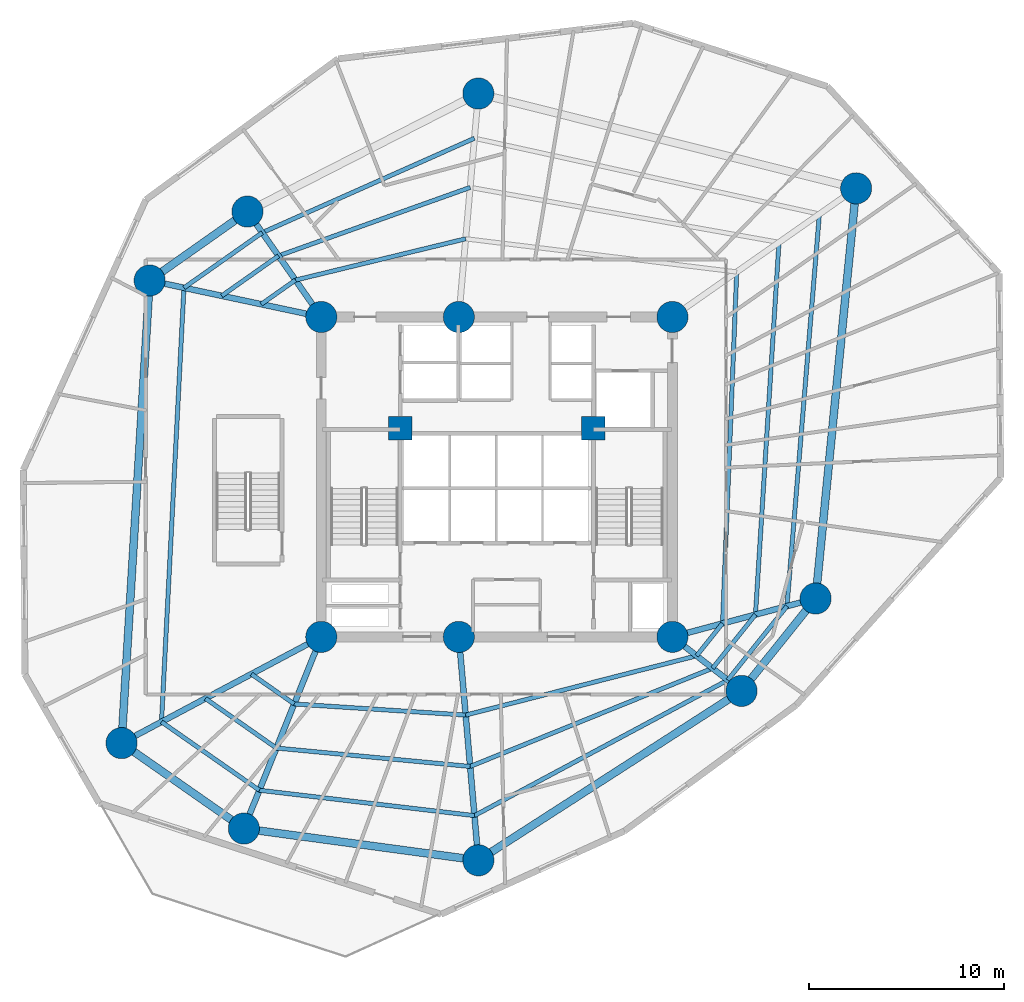
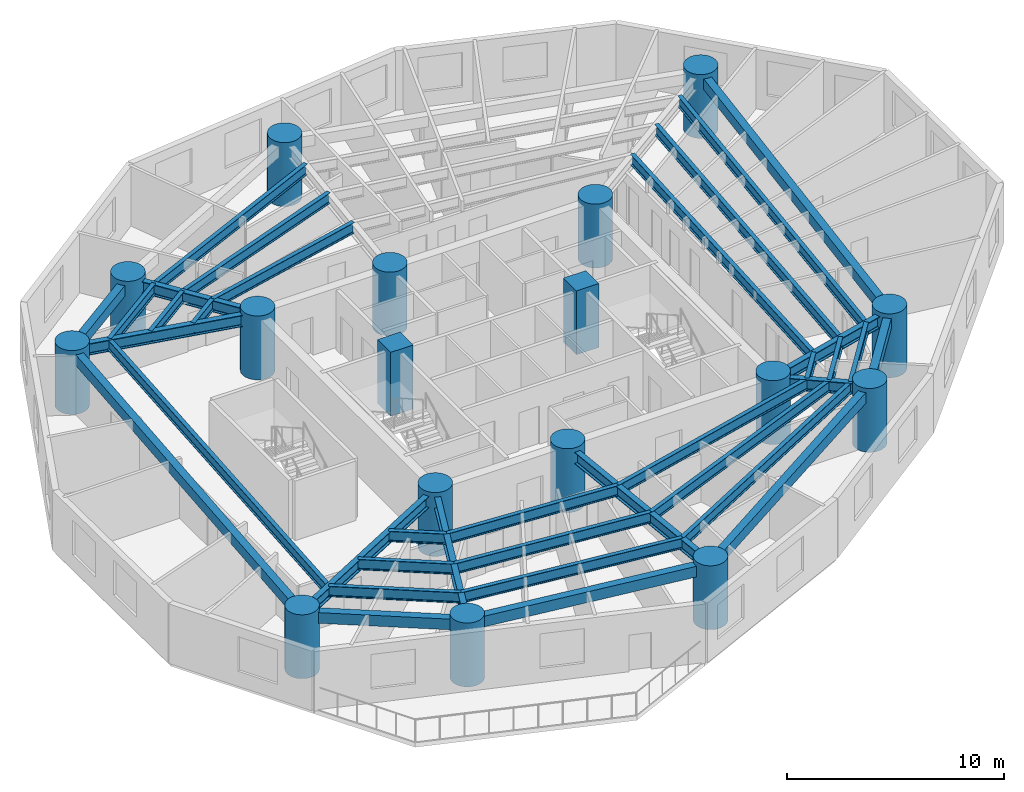
# One storey, part 1 of 9: 36 beams, 17 columns.
"""IFC4 building model written with IfcOpenShell, lengths in metres."""

from ifc_helpers import new_model, si_unit, direction, frame, origin, origin_with_axes, origin_2d, place, context, subcontext, project, spatial, rectangle, circle, i_section, extrude, source, transform, mapped, material, material_profile, profile_set, type_object, element, save


model = new_model("IFC4")

# Units and contexts
model_context = context("Model", 3, precision=1e-05, world=origin(), true_north=direction((0.0, 1.0)))
body_context = subcontext(model_context, "Body", "Model", "MODEL_VIEW")
ifc_project = project(units=[si_unit("LENGTHUNIT", "METRE"), si_unit("AREAUNIT", "SQUARE_METRE"), si_unit("VOLUMEUNIT", "CUBIC_METRE"), si_unit("PLANEANGLEUNIT", "RADIAN"), si_unit("MASSUNIT", "GRAM", prefix="KILO")], contexts=[model_context])

# Site, building, storey
site_placement = place(None, origin())
site = spatial("IfcSite", under=ifc_project, at=site_placement, CompositionType="ELEMENT")
building_placement = place(site_placement, origin())
building = spatial("IfcBuilding", under=site, at=building_placement, Name="Karkom Vertical University and Central Library", CompositionType="ELEMENT")
storey_placement = place(building_placement, frame((0.0, 0.0, 48.10009765625)))
storey = spatial("IfcBuildingStorey", under=building, at=storey_placement, Name="L12", CompositionType="ELEMENT", Elevation=48.10009765625)

# Columns
ifc_material_1 = material(Name="Concrete C50/60", Category="concrete")
ifc_material_profile_1 = material_profile(ifc_material_1, circle(Radius=0.800048828125, at=origin_2d()), Name="CFT-D1600")
ifc_profile_set_1 = profile_set([ifc_material_profile_1], Name="Concrete C50/60")
column_type_1 = type_object("IfcColumnType", Name="STR-COL-C-SC2", PredefinedType="COLUMN", material=ifc_profile_set_1)
shared_shape_1 = source(origin_with_axes(), body_context, "Body", "SweptSolid", [
    extrude(circle(Radius=0.800048828125, at=origin_2d()), origin(), (0.0, 0.0, 1.0), 3.599853515625),
])
for number, where, z_axis, x_axis, name in (
    (1, (19.5, 18.300048828125, 0.0), (0.0, 0.0, 1.0), (1.0, 0.0, 0.0), "Level 12 Spine Mega-Column SC-1"),
    (2, (26.550048828125, 18.300048828125, 0.0), (0.0, 0.0, 1.0), (1.0, 0.0, 0.0), "Level 12 Spine Mega-Column SC-2"),
    (3, (37.5, 18.300048828125, 0.0), (0.0, 0.0, 1.0), (1.0, 0.0, 0.0), "Level 12 Spine Mega-Column SC-3"),
    (4, (19.5, 34.699951171875, 0.0), (0.0, 0.0, 1.0), (1.0, 0.0, 0.0), "Level 12 Spine Mega-Column SC-4"),
    (5, (26.550048828125, 34.699951171875, 0.0), (0.0, 0.0, 1.0), (1.0, 0.0, 0.0), "Level 12 Spine Mega-Column SC-5"),
    (6, (37.5, 34.699951171875, 0.0), (0.0, 0.0, 1.0), (1.0, 0.0, 0.0), "Level 12 Spine Mega-Column SC-6"),
    (7, (44.841064453125, 20.26708984375, 0.0), (0.0, 0.0, 1.0), (1.0, 0.0, 0.0), "Level 12 Perimeter Mega-Column Z1-PC1"),
    (8, (46.919921875, 41.2958984375, 0.0), (0.0, 0.0, 1.0), (1.0, 0.0, 0.0), "Level 12 Perimeter Mega-Column Z1-PC2"),
    (9, (27.552001953125, 46.156005859375, 0.0), (0.0, 0.0, 1.0), (1.0, 0.0, 0.0), "Level 12 Perimeter Mega-Column Z1-PC3"),
    (10, (15.714111328125, 40.10595703125, 0.0), (0.0, 0.0, 1.0), (1.0, 0.0, 0.0), "Level 12 Perimeter Mega-Column Z1-PC4"),
    (11, (10.697021484375, 36.571044921875, 0.0), (0.0, 0.0, 1.0), (1.0, 0.0, 0.0), "Level 12 Perimeter Mega-Column Z1-PC5"),
    (12, (9.258056640625, 12.85400390625, 0.0), (0.0, 0.0, 1.0), (1.0, 0.0, 0.0), "Level 12 Perimeter Mega-Column Z1-PC6"),
    (13, (15.529052734375, 8.471923828125, 0.0), (0.0, 0.0, 1.0), (1.0, 0.0, 0.0), "Level 12 Perimeter Mega-Column Z1-PC7"),
    (14, (27.552001953125, 6.843994140625, 0.0), (0.0, 0.0, 1.0), (1.0, 0.0, 0.0), "Level 12 Perimeter Mega-Column Z1-PC8"),
    (15, (41.0458984375, 15.530029296875, 0.0), (0.0, 0.0, 1.0), (1.0, 0.0, 0.0), "Level 12 Perimeter Mega-Column Z1-PC9"),
):
    element("IfcColumn", number, at=place(storey_placement, frame(where, z_axis=z_axis, x_axis=x_axis)), inside=storey, type_object=column_type_1, Name=name, PredefinedType="COLUMN", context=body_context, shape_type="MappedRepresentation", body=[
        mapped(shared_shape_1, transform((0.0, 0.0, 0.0), scale=1.0)),
    ])
ifc_material_profile_2 = material_profile(ifc_material_1, rectangle(XDim=1.199951171875, YDim=1.199951171875, at=origin_2d()), Name="RC-1200x1200")
ifc_profile_set_2 = profile_set([ifc_material_profile_2], Name="Concrete C50/60")
column_type_2 = type_object("IfcColumnType", Name="STR-COL-C-CC1", PredefinedType="COLUMN", material=ifc_profile_set_2)
shared_shape_2 = source(origin_with_axes(), body_context, "Body", "SweptSolid", [
    extrude(rectangle(XDim=1.199951171875, YDim=1.199951171875, at=origin_2d()), origin(), (0.0, 0.0, 1.0), 3.599853515625),
])
for number, where, z_axis, x_axis, name in (
    (16, (23.550048828125, 29.0, 0.0), (0.0, 0.0, 1.0), (1.0, 0.0, 0.0), "Level 12 Core Node Column CC-1"),
    (17, (33.449951171875, 29.0, 0.0), (0.0, 0.0, 1.0), (1.0, 0.0, 0.0), "Level 12 Core Node Column CC-2"),
):
    element("IfcColumn", number, at=place(storey_placement, frame(where, z_axis=z_axis, x_axis=x_axis)), inside=storey, type_object=column_type_2, Name=name, PredefinedType="COLUMN", context=body_context, shape_type="MappedRepresentation", body=[
        mapped(shared_shape_2, transform((0.0, 0.0, 0.0), scale=1.0)),
    ])

# Beams
ifc_material_2 = material(Name="Steel S355", Category="steel")
ifc_material_profile_3 = material_profile(ifc_material_2, i_section(OverallWidth=0.300048828125, OverallDepth=0.64990234375, WebThickness=0.01611328125, FlangeThickness=0.031005859375, FilletRadius=0.027099609375, at=origin_2d()), Name="HE 650 B")
ifc_profile_set_3 = profile_set([ifc_material_profile_3], Name="Steel S355")
beam_type_1 = type_object("IfcBeamType", Name="STR-BM-SB-HE650", PredefinedType="USERDEFINED", material=ifc_profile_set_3)
shared_shape_3 = source(origin_with_axes(), body_context, "Body", "SweptSolid", [
    extrude(i_section(OverallWidth=0.300048828125, OverallDepth=0.64990234375, WebThickness=0.01611328125, FlangeThickness=0.031005859375, FilletRadius=0.027099609375, at=origin_2d()), origin(), (0.0, 0.0, 1.0), 7.60009765625),
])
beam_1_placement = place(storey_placement, frame((37.5, 18.300048828125, 3.02490234375), z_axis=(0.965925539322, 0.258820116077, 0.0), x_axis=(-0.258820116077, 0.965925539322, 0.0)))
element("IfcBeam", 18, at=beam_1_placement, inside=storey, type_object=beam_type_1, Name="Level 12 Radial Frame Girder 01", ObjectType="GIRDER", PredefinedType="USERDEFINED", context=body_context, shape_type="MappedRepresentation", body=[
    mapped(shared_shape_3, transform((0.0, 0.0, 0.0), scale=1.0)),
])
shared_shape_4 = source(origin_with_axes(), body_context, "Body", "SweptSolid", [
    extrude(i_section(OverallWidth=0.300048828125, OverallDepth=0.64990234375, WebThickness=0.01611328125, FlangeThickness=0.031005859375, FilletRadius=0.027099609375, at=origin_2d()), origin(), (0.0, 0.0, 1.0), 11.499755859375),
])
beam_2_placement = place(storey_placement, frame((26.550048828125, 18.300048828125, 3.02490234375), z_axis=(0.087127973109, -0.99619712723, 0.0), x_axis=(0.99619712723, 0.087127973109, 0.0)))
element("IfcBeam", 19, at=beam_2_placement, inside=storey, type_object=beam_type_1, Name="Level 12 Radial Frame Girder 08", ObjectType="GIRDER", PredefinedType="USERDEFINED", context=body_context, shape_type="MappedRepresentation", body=[
    mapped(shared_shape_4, transform((0.0, 0.0, 0.0), scale=1.0)),
])
shared_shape_5 = source(origin_with_axes(), body_context, "Body", "SweptSolid", [
    extrude(i_section(OverallWidth=0.300048828125, OverallDepth=0.64990234375, WebThickness=0.01611328125, FlangeThickness=0.031005859375, FilletRadius=0.027099609375, at=origin_2d()), origin(), (0.0, 0.0, 1.0), 6.599853515625),
])
beam_3_placement = place(storey_placement, frame((19.5, 34.699951171875, 3.02490234375), z_axis=(-0.573633636671, 0.819111989218, 0.0), x_axis=(-0.819111989218, -0.573633636671, 0.0)))
element("IfcBeam", 20, at=beam_3_placement, inside=storey, type_object=beam_type_1, Name="Level 12 Radial Frame Girder 04", ObjectType="GIRDER", PredefinedType="USERDEFINED", context=body_context, shape_type="MappedRepresentation", body=[
    mapped(shared_shape_5, transform((0.0, 0.0, 0.0), scale=1.0)),
])
shared_shape_6 = source(origin_with_axes(), body_context, "Body", "SweptSolid", [
    extrude(i_section(OverallWidth=0.300048828125, OverallDepth=0.64990234375, WebThickness=0.01611328125, FlangeThickness=0.031005859375, FilletRadius=0.027099609375, at=origin_2d()), origin(), (0.0, 0.0, 1.0), 8.999755859375),
])
beam_4_placement = place(storey_placement, frame((19.5, 34.699951171875, 3.02490234375), z_axis=(-0.978148438993, 0.207907747079, 0.0), x_axis=(-0.207907747079, -0.978148438993, 0.0)))
element("IfcBeam", 21, at=beam_4_placement, inside=storey, type_object=beam_type_1, Name="Level 12 Radial Frame Girder 05", ObjectType="GIRDER", PredefinedType="USERDEFINED", context=body_context, shape_type="MappedRepresentation", body=[
    mapped(shared_shape_6, transform((0.0, 0.0, 0.0), scale=1.0)),
])
shared_shape_7 = source(origin_with_axes(), body_context, "Body", "SweptSolid", [
    extrude(i_section(OverallWidth=0.300048828125, OverallDepth=0.64990234375, WebThickness=0.01611328125, FlangeThickness=0.031005859375, FilletRadius=0.027099609375, at=origin_2d()), origin(), (0.0, 0.0, 1.0), 11.599853515625),
])
beam_5_placement = place(storey_placement, frame((19.5, 18.300048828125, 3.02490234375), z_axis=(-0.882936620635, -0.469492197957, 0.0), x_axis=(0.469492197957, -0.882936620635, 0.0)))
element("IfcBeam", 22, at=beam_5_placement, inside=storey, type_object=beam_type_1, Name="Level 12 Radial Frame Girder 06", ObjectType="GIRDER", PredefinedType="USERDEFINED", context=body_context, shape_type="MappedRepresentation", body=[
    mapped(shared_shape_7, transform((0.0, 0.0, 0.0), scale=1.0)),
])
shared_shape_8 = source(origin_with_axes(), body_context, "Body", "SweptSolid", [
    extrude(i_section(OverallWidth=0.300048828125, OverallDepth=0.64990234375, WebThickness=0.01611328125, FlangeThickness=0.031005859375, FilletRadius=0.027099609375, at=origin_2d()), origin(), (0.0, 0.0, 1.0), 10.60009765625),
])
beam_6_placement = place(storey_placement, frame((19.5, 18.300048828125, 3.02490234375), z_axis=(-0.374616894394, -0.927179692635, 0.0), x_axis=(0.927179692635, -0.374616894394, 0.0)))
element("IfcBeam", 23, at=beam_6_placement, inside=storey, type_object=beam_type_1, Name="Level 12 Radial Frame Girder 07", ObjectType="GIRDER", PredefinedType="USERDEFINED", context=body_context, shape_type="MappedRepresentation", body=[
    mapped(shared_shape_8, transform((0.0, 0.0, 0.0), scale=1.0)),
])
shared_shape_9 = source(origin_with_axes(), body_context, "Body", "SweptSolid", [
    extrude(i_section(OverallWidth=0.300048828125, OverallDepth=0.64990234375, WebThickness=0.01611328125, FlangeThickness=0.031005859375, FilletRadius=0.027099609375, at=origin_2d()), origin(), (0.0, 0.0, 1.0), 4.49951171875),
])
beam_7_placement = place(storey_placement, frame((37.5, 18.300048828125, 3.02490234375), z_axis=(0.788047405801, -0.615614559778, 0.0), x_axis=(0.615614559778, 0.788047405801, 0.0)))
element("IfcBeam", 24, at=beam_7_placement, inside=storey, type_object=beam_type_1, Name="Level 12 Radial Frame Girder 09", ObjectType="GIRDER", PredefinedType="USERDEFINED", context=body_context, shape_type="MappedRepresentation", body=[
    mapped(shared_shape_9, transform((0.0, 0.0, 0.0), scale=1.0)),
])
ifc_material_3 = material(Name="Precast concrete C45/55", Category="concrete")
ifc_material_profile_4 = material_profile(ifc_material_3, rectangle(XDim=0.39990234375, YDim=0.60009765625, at=origin_2d()), Name="SPB-400x600")
ifc_profile_set_4 = profile_set([ifc_material_profile_4], Name="Precast concrete C45/55")
beam_type_2 = type_object("IfcBeamType", Name="STR-BM-SP-1", PredefinedType="SPANDREL", material=ifc_profile_set_4)
shared_shape_10 = source(origin_with_axes(), body_context, "Body", "SweptSolid", [
    extrude(rectangle(XDim=0.39990234375, YDim=0.60009765625, at=origin_2d()), origin(), (0.0, 0.0, 1.0), 21.13134765625),
])
beam_8_placement = place(storey_placement, frame((44.841064453125, 20.26708984375, 3.0498046875), z_axis=(0.0983780471, 0.995149114379, 0.0), x_axis=(-0.995149114379, 0.0983780471, 0.0)))
element("IfcBeam", 25, at=beam_8_placement, inside=storey, type_object=beam_type_2, Name="Level 12 Perimeter Spandrel Beam 01", PredefinedType="SPANDREL", context=body_context, shape_type="MappedRepresentation", body=[
    mapped(shared_shape_10, transform((0.0, 0.0, 0.0), scale=1.0)),
])
shared_shape_11 = source(origin_with_axes(), body_context, "Body", "SweptSolid", [
    extrude(rectangle(XDim=0.39990234375, YDim=0.60009765625, at=origin_2d()), origin(), (0.0, 0.0, 1.0), 6.13720703125),
])
beam_9_placement = place(storey_placement, frame((15.714111328125, 40.10595703125, 3.0498046875), z_axis=(-0.817471365538, -0.575969240955, 0.0), x_axis=(0.575969240955, -0.817471365538, 0.0)))
element("IfcBeam", 26, at=beam_9_placement, inside=storey, type_object=beam_type_2, Name="Level 12 Perimeter Spandrel Beam 04", PredefinedType="SPANDREL", context=body_context, shape_type="MappedRepresentation", body=[
    mapped(shared_shape_11, transform((0.0, 0.0, 0.0), scale=1.0)),
])
shared_shape_12 = source(origin_with_axes(), body_context, "Body", "SweptSolid", [
    extrude(rectangle(XDim=0.39990234375, YDim=0.60009765625, at=origin_2d()), origin(), (0.0, 0.0, 1.0), 23.7607421875),
])
beam_10_placement = place(storey_placement, frame((10.697021484375, 36.571044921875, 3.0498046875), z_axis=(-0.060560827767, -0.998164508556, 0.0), x_axis=(0.998164508556, -0.060560827767, 0.0)))
element("IfcBeam", 27, at=beam_10_placement, inside=storey, type_object=beam_type_2, Name="Level 12 Perimeter Spandrel Beam 05", PredefinedType="SPANDREL", context=body_context, shape_type="MappedRepresentation", body=[
    mapped(shared_shape_12, transform((0.0, 0.0, 0.0), scale=1.0)),
])
shared_shape_13 = source(origin_with_axes(), body_context, "Body", "SweptSolid", [
    extrude(rectangle(XDim=0.39990234375, YDim=0.60009765625, at=origin_2d()), origin(), (0.0, 0.0, 1.0), 7.650390625),
])
beam_11_placement = place(storey_placement, frame((9.258056640625, 12.85400390625, 3.0498046875), z_axis=(0.819699409527, -0.572793922822, 0.0), x_axis=(0.572793922822, 0.819699409527, 0.0)))
element("IfcBeam", 28, at=beam_11_placement, inside=storey, type_object=beam_type_2, Name="Level 12 Perimeter Spandrel Beam 06", PredefinedType="SPANDREL", context=body_context, shape_type="MappedRepresentation", body=[
    mapped(shared_shape_13, transform((0.0, 0.0, 0.0), scale=1.0)),
])
shared_shape_14 = source(origin_with_axes(), body_context, "Body", "SweptSolid", [
    extrude(rectangle(XDim=0.39990234375, YDim=0.60009765625, at=origin_2d()), origin(), (0.0, 0.0, 1.0), 12.132568359375),
])
beam_12_placement = place(storey_placement, frame((15.529052734375, 8.471923828125, 3.0498046875), z_axis=(0.990957319008, -0.134177464223, 0.0), x_axis=(0.134177464223, 0.990957319008, 0.0)))
element("IfcBeam", 29, at=beam_12_placement, inside=storey, type_object=beam_type_2, Name="Level 12 Perimeter Spandrel Beam 07", PredefinedType="SPANDREL", context=body_context, shape_type="MappedRepresentation", body=[
    mapped(shared_shape_14, transform((0.0, 0.0, 0.0), scale=1.0)),
])
shared_shape_15 = source(origin_with_axes(), body_context, "Body", "SweptSolid", [
    extrude(rectangle(XDim=0.39990234375, YDim=0.60009765625, at=origin_2d()), origin(), (0.0, 0.0, 1.0), 16.0478515625),
])
beam_13_placement = place(storey_placement, frame((27.552001953125, 6.843994140625, 3.0498046875), z_axis=(0.84085555045, 0.541259589548, 0.0), x_axis=(-0.541259589548, 0.84085555045, 0.0)))
element("IfcBeam", 30, at=beam_13_placement, inside=storey, type_object=beam_type_2, Name="Level 12 Perimeter Spandrel Beam 08", PredefinedType="SPANDREL", context=body_context, shape_type="MappedRepresentation", body=[
    mapped(shared_shape_15, transform((0.0, 0.0, 0.0), scale=1.0)),
])
shared_shape_16 = source(origin_with_axes(), body_context, "Body", "SweptSolid", [
    extrude(rectangle(XDim=0.39990234375, YDim=0.60009765625, at=origin_2d()), origin(), (0.0, 0.0, 1.0), 6.06982421875),
])
beam_14_placement = place(storey_placement, frame((41.0458984375, 15.530029296875, 3.0498046875), z_axis=(0.625249167344, 0.780425190992, 0.0), x_axis=(-0.780425190992, 0.625249167344, 0.0)))
element("IfcBeam", 31, at=beam_14_placement, inside=storey, type_object=beam_type_2, Name="Level 12 Perimeter Spandrel Beam 09", PredefinedType="SPANDREL", context=body_context, shape_type="MappedRepresentation", body=[
    mapped(shared_shape_16, transform((0.0, 0.0, 0.0), scale=1.0)),
])
ifc_material_profile_5 = material_profile(ifc_material_2, i_section(OverallWidth=0.219970703125, OverallDepth=0.60009765625, WebThickness=0.011962890625, FlangeThickness=0.01904296875, FilletRadius=0.02392578125, at=origin_2d()), Name="IPE 600")
ifc_profile_set_5 = profile_set([ifc_material_profile_5], Name="Steel S355")
beam_type_3 = type_object("IfcBeamType", Name="STR-BM-SB-IPE600", PredefinedType="BEAM", material=ifc_profile_set_5)
shared_shape_17 = source(origin_with_axes(), body_context, "Body", "SweptSolid", [
    extrude(i_section(OverallWidth=0.219970703125, OverallDepth=0.60009765625, WebThickness=0.011962890625, FlangeThickness=0.01904296875, FilletRadius=0.02392578125, at=origin_2d()), origin(), (0.0, 0.0, 1.0), 18.03466796875),
])
beam_15_placement = place(storey_placement, frame((40.0693359375, 18.988525390625, 3.0498046875), z_axis=(0.04035458262, 0.999185422062, 0.0), x_axis=(-0.999185422062, 0.04035458262, 0.0)))
element("IfcBeam", 32, at=beam_15_placement, inside=storey, type_object=beam_type_3, Name="Level 12 Secondary Composite Floor Beam 1.01", PredefinedType="BEAM", context=body_context, shape_type="MappedRepresentation", body=[
    mapped(shared_shape_17, transform((0.0, 0.0, 0.0), scale=1.0)),
])
shared_shape_18 = source(origin_with_axes(), body_context, "Body", "SweptSolid", [
    extrude(i_section(OverallWidth=0.219970703125, OverallDepth=0.60009765625, WebThickness=0.011962890625, FlangeThickness=0.01904296875, FilletRadius=0.02392578125, at=origin_2d()), origin(), (0.0, 0.0, 1.0), 8.97900390625),
])
beam_16_placement = place(storey_placement, frame((26.900634765625, 38.709716796875, 3.0498046875), z_axis=(-0.971790837509, -0.235844372697, 0.0), x_axis=(0.235844372697, -0.971790837509, 0.0)))
element("IfcBeam", 33, at=beam_16_placement, inside=storey, type_object=beam_type_3, Name="Level 12 Secondary Composite Floor Beam 1.03", PredefinedType="BEAM", context=body_context, shape_type="MappedRepresentation", body=[
    mapped(shared_shape_18, transform((0.0, 0.0, 0.0), scale=1.0)),
])
shared_shape_19 = source(origin_with_axes(), body_context, "Body", "SweptSolid", [
    extrude(i_section(OverallWidth=0.219970703125, OverallDepth=0.60009765625, WebThickness=0.011962890625, FlangeThickness=0.01904296875, FilletRadius=0.02392578125, at=origin_2d()), origin(), (0.0, 0.0, 1.0), 2.14794921875),
])
beam_17_placement = place(storey_placement, frame((18.1748046875, 36.592041015625, 3.0498046875), z_axis=(-0.817433780971, -0.576022580918, 0.0), x_axis=(0.576022580918, -0.817433780971, 0.0)))
element("IfcBeam", 34, at=beam_17_placement, inside=storey, type_object=beam_type_3, Name="Level 12 Secondary Composite Floor Beam 1.04", PredefinedType="BEAM", context=body_context, shape_type="MappedRepresentation", body=[
    mapped(shared_shape_19, transform((0.0, 0.0, 0.0), scale=1.0)),
])
shared_shape_20 = source(origin_with_axes(), body_context, "Body", "SweptSolid", [
    extrude(i_section(OverallWidth=0.219970703125, OverallDepth=0.60009765625, WebThickness=0.011962890625, FlangeThickness=0.01904296875, FilletRadius=0.02392578125, at=origin_2d()), origin(), (0.0, 0.0, 1.0), 2.677490234375),
])
beam_18_placement = place(storey_placement, frame((15.915283203125, 16.393798828125, 3.0498046875), z_axis=(0.819702839548, -0.572789014243, 0.0), x_axis=(0.572789014243, 0.819702839548, 0.0)))
element("IfcBeam", 35, at=beam_18_placement, inside=storey, type_object=beam_type_3, Name="Level 12 Secondary Composite Floor Beam 1.06", PredefinedType="BEAM", context=body_context, shape_type="MappedRepresentation", body=[
    mapped(shared_shape_20, transform((0.0, 0.0, 0.0), scale=1.0)),
])
shared_shape_21 = source(origin_with_axes(), body_context, "Body", "SweptSolid", [
    extrude(i_section(OverallWidth=0.219970703125, OverallDepth=0.60009765625, WebThickness=0.011962890625, FlangeThickness=0.01904296875, FilletRadius=0.02392578125, at=origin_2d()), origin(), (0.0, 0.0, 1.0), 8.80908203125),
])
beam_19_placement = place(storey_placement, frame((18.110107421875, 14.860107421875, 3.0498046875), z_axis=(0.997905617906, -0.064686766433, 0.0), x_axis=(0.064686766433, 0.997905617906, 0.0)))
element("IfcBeam", 36, at=beam_19_placement, inside=storey, type_object=beam_type_3, Name="Level 12 Secondary Composite Floor Beam 1.07", PredefinedType="BEAM", context=body_context, shape_type="MappedRepresentation", body=[
    mapped(shared_shape_21, transform((0.0, 0.0, 0.0), scale=1.0)),
])
shared_shape_22 = source(origin_with_axes(), body_context, "Body", "SweptSolid", [
    extrude(i_section(OverallWidth=0.219970703125, OverallDepth=0.60009765625, WebThickness=0.011962890625, FlangeThickness=0.01904296875, FilletRadius=0.02392578125, at=origin_2d()), origin(), (0.0, 0.0, 1.0), 12.224609375),
])
beam_20_placement = place(storey_placement, frame((26.900634765625, 14.290283203125, 3.0498046875), z_axis=(0.968580403264, 0.248700628092, 0.0), x_axis=(-0.248700628092, 0.968580403264, 0.0)))
element("IfcBeam", 37, at=beam_20_placement, inside=storey, type_object=beam_type_3, Name="Level 12 Secondary Composite Floor Beam 1.08", PredefinedType="BEAM", context=body_context, shape_type="MappedRepresentation", body=[
    mapped(shared_shape_22, transform((0.0, 0.0, 0.0), scale=1.0)),
])
shared_shape_23 = source(origin_with_axes(), body_context, "Body", "SweptSolid", [
    extrude(i_section(OverallWidth=0.219970703125, OverallDepth=0.60009765625, WebThickness=0.011962890625, FlangeThickness=0.01904296875, FilletRadius=0.02392578125, at=origin_2d()), origin(), (0.0, 0.0, 1.0), 2.124267578125),
])
beam_21_placement = place(storey_placement, frame((38.7412109375, 17.33056640625, 3.0498046875), z_axis=(0.625199471959, 0.780465002587, 0.0), x_axis=(-0.780465002587, 0.625199471959, 0.0)))
element("IfcBeam", 38, at=beam_21_placement, inside=storey, type_object=beam_type_3, Name="Level 12 Secondary Composite Floor Beam 1.09", PredefinedType="BEAM", context=body_context, shape_type="MappedRepresentation", body=[
    mapped(shared_shape_23, transform((0.0, 0.0, 0.0), scale=1.0)),
])
shared_shape_24 = source(origin_with_axes(), body_context, "Body", "SweptSolid", [
    extrude(i_section(OverallWidth=0.219970703125, OverallDepth=0.60009765625, WebThickness=0.011962890625, FlangeThickness=0.01904296875, FilletRadius=0.02392578125, at=origin_2d()), origin(), (0.0, 0.0, 1.0), 19.122802734375),
])
beam_22_placement = place(storey_placement, frame((41.7578125, 19.44091796875, 3.0498046875), z_axis=(0.063056264597, 0.998009973645, 0.0), x_axis=(-0.998009973645, 0.063056264597, 0.0)))
element("IfcBeam", 39, at=beam_22_placement, inside=storey, type_object=beam_type_3, Name="Level 12 Secondary Composite Floor Beam 2.01", PredefinedType="BEAM", context=body_context, shape_type="MappedRepresentation", body=[
    mapped(shared_shape_24, transform((0.0, 0.0, 0.0), scale=1.0)),
])
shared_shape_25 = source(origin_with_axes(), body_context, "Body", "SweptSolid", [
    extrude(i_section(OverallWidth=0.219970703125, OverallDepth=0.60009765625, WebThickness=0.011962890625, FlangeThickness=0.01904296875, FilletRadius=0.02392578125, at=origin_2d()), origin(), (0.0, 0.0, 1.0), 10.4345703125),
])
beam_23_placement = place(storey_placement, frame((27.131103515625, 41.344482421875, 3.0498046875), z_axis=(-0.941759378798, -0.336287484819, 0.0), x_axis=(0.336287484819, -0.941759378798, 0.0)))
element("IfcBeam", 40, at=beam_23_placement, inside=storey, type_object=beam_type_3, Name="Level 12 Secondary Composite Floor Beam 2.03", PredefinedType="BEAM", context=body_context, shape_type="MappedRepresentation", body=[
    mapped(shared_shape_25, transform((0.0, 0.0, 0.0), scale=1.0)),
])
shared_shape_26 = source(origin_with_axes(), body_context, "Body", "SweptSolid", [
    extrude(i_section(OverallWidth=0.219970703125, OverallDepth=0.60009765625, WebThickness=0.011962890625, FlangeThickness=0.01904296875, FilletRadius=0.02392578125, at=origin_2d()), origin(), (0.0, 0.0, 1.0), 3.5595703125),
])
beam_24_placement = place(storey_placement, frame((17.30419921875, 37.83544921875, 3.0498046875), z_axis=(-0.817465552849, -0.575977490798, 0.0), x_axis=(0.575977490798, -0.817465552849, 0.0)))
element("IfcBeam", 41, at=beam_24_placement, inside=storey, type_object=beam_type_3, Name="Level 12 Secondary Composite Floor Beam 2.04", PredefinedType="BEAM", context=body_context, shape_type="MappedRepresentation", body=[
    mapped(shared_shape_26, transform((0.0, 0.0, 0.0), scale=1.0)),
])
shared_shape_27 = source(origin_with_axes(), body_context, "Body", "SweptSolid", [
    extrude(i_section(OverallWidth=0.219970703125, OverallDepth=0.60009765625, WebThickness=0.011962890625, FlangeThickness=0.01904296875, FilletRadius=0.02392578125, at=origin_2d()), origin(), (0.0, 0.0, 1.0), 4.437255859375),
])
beam_25_placement = place(storey_placement, frame((13.5595703125, 15.141357421875, 3.0498046875), z_axis=(0.819712425733, -0.572775295468, 0.0), x_axis=(0.572775295468, 0.819712425733, 0.0)))
element("IfcBeam", 42, at=beam_25_placement, inside=storey, type_object=beam_type_3, Name="Level 12 Secondary Composite Floor Beam 2.06", PredefinedType="BEAM", context=body_context, shape_type="MappedRepresentation", body=[
    mapped(shared_shape_27, transform((0.0, 0.0, 0.0), scale=1.0)),
])
shared_shape_28 = source(origin_with_axes(), body_context, "Body", "SweptSolid", [
    extrude(i_section(OverallWidth=0.219970703125, OverallDepth=0.60009765625, WebThickness=0.011962890625, FlangeThickness=0.01904296875, FilletRadius=0.02392578125, at=origin_2d()), origin(), (0.0, 0.0, 1.0), 9.97900390625),
])
beam_26_placement = place(storey_placement, frame((17.19677734375, 12.599853515625, 3.0498046875), z_axis=(0.995512389915, -0.094631292526, 0.0), x_axis=(0.094631292526, 0.995512389915, 0.0)))
element("IfcBeam", 43, at=beam_26_placement, inside=storey, type_object=beam_type_3, Name="Level 12 Secondary Composite Floor Beam 2.07", PredefinedType="BEAM", context=body_context, shape_type="MappedRepresentation", body=[
    mapped(shared_shape_28, transform((0.0, 0.0, 0.0), scale=1.0)),
])
shared_shape_29 = source(origin_with_axes(), body_context, "Body", "SweptSolid", [
    extrude(i_section(OverallWidth=0.219970703125, OverallDepth=0.60009765625, WebThickness=0.011962890625, FlangeThickness=0.01904296875, FilletRadius=0.02392578125, at=origin_2d()), origin(), (0.0, 0.0, 1.0), 13.407958984375),
])
beam_27_placement = place(storey_placement, frame((27.131103515625, 11.655517578125, 3.0498046875), z_axis=(0.926727273371, 0.375734694685, 0.0), x_axis=(-0.375734694685, 0.926727273371, 0.0)))
element("IfcBeam", 44, at=beam_27_placement, inside=storey, type_object=beam_type_3, Name="Level 12 Secondary Composite Floor Beam 2.08", PredefinedType="BEAM", context=body_context, shape_type="MappedRepresentation", body=[
    mapped(shared_shape_29, transform((0.0, 0.0, 0.0), scale=1.0)),
])
shared_shape_30 = source(origin_with_axes(), body_context, "Body", "SweptSolid", [
    extrude(i_section(OverallWidth=0.219970703125, OverallDepth=0.60009765625, WebThickness=0.011962890625, FlangeThickness=0.01904296875, FilletRadius=0.02392578125, at=origin_2d()), origin(), (0.0, 0.0, 1.0), 3.5205078125),
])
beam_28_placement = place(storey_placement, frame((39.556640625, 16.693359375, 3.0498046875), z_axis=(0.62523614548, 0.780435623473, 0.0), x_axis=(-0.780435623473, 0.62523614548, 0.0)))
element("IfcBeam", 45, at=beam_28_placement, inside=storey, type_object=beam_type_3, Name="Level 12 Secondary Composite Floor Beam 2.09", PredefinedType="BEAM", context=body_context, shape_type="MappedRepresentation", body=[
    mapped(shared_shape_30, transform((0.0, 0.0, 0.0), scale=1.0)),
])
shared_shape_31 = source(origin_with_axes(), body_context, "Body", "SweptSolid", [
    extrude(i_section(OverallWidth=0.219970703125, OverallDepth=0.60009765625, WebThickness=0.011962890625, FlangeThickness=0.01904296875, FilletRadius=0.02392578125, at=origin_2d()), origin(), (0.0, 0.0, 1.0), 20.171875),
])
beam_29_placement = place(storey_placement, frame((43.372802734375, 19.87353515625, 3.0498046875), z_axis=(0.082445490935, 0.996595575459, 0.0), x_axis=(-0.996595575459, 0.082445490935, 0.0)))
element("IfcBeam", 46, at=beam_29_placement, inside=storey, type_object=beam_type_3, Name="Level 12 Secondary Composite Floor Beam 3.01", PredefinedType="BEAM", context=body_context, shape_type="MappedRepresentation", body=[
    mapped(shared_shape_31, transform((0.0, 0.0, 0.0), scale=1.0)),
])
shared_shape_32 = source(origin_with_axes(), body_context, "Body", "SweptSolid", [
    extrude(i_section(OverallWidth=0.219970703125, OverallDepth=0.60009765625, WebThickness=0.011962890625, FlangeThickness=0.01904296875, FilletRadius=0.02392578125, at=origin_2d()), origin(), (0.0, 0.0, 1.0), 11.908203125),
])
beam_30_placement = place(storey_placement, frame((27.3515625, 43.86474609375, 3.0498046875), z_axis=(-0.913682996781, -0.406427584441, 0.0), x_axis=(0.406427584441, -0.913682996781, 0.0)))
element("IfcBeam", 47, at=beam_30_placement, inside=storey, type_object=beam_type_3, Name="Level 12 Secondary Composite Floor Beam 3.03", PredefinedType="BEAM", context=body_context, shape_type="MappedRepresentation", body=[
    mapped(shared_shape_32, transform((0.0, 0.0, 0.0), scale=1.0)),
])
shared_shape_33 = source(origin_with_axes(), body_context, "Body", "SweptSolid", [
    extrude(i_section(OverallWidth=0.219970703125, OverallDepth=0.60009765625, WebThickness=0.011962890625, FlangeThickness=0.01904296875, FilletRadius=0.02392578125, at=origin_2d()), origin(), (0.0, 0.0, 1.0), 4.909912109375),
])
beam_31_placement = place(storey_placement, frame((16.47119140625, 39.02490234375, 3.0498046875), z_axis=(-0.817452635759, -0.575995823153, 0.0), x_axis=(0.575995823153, -0.817452635759, 0.0)))
element("IfcBeam", 48, at=beam_31_placement, inside=storey, type_object=beam_type_3, Name="Level 12 Secondary Composite Floor Beam 3.04", PredefinedType="BEAM", context=body_context, shape_type="MappedRepresentation", body=[
    mapped(shared_shape_33, transform((0.0, 0.0, 0.0), scale=1.0)),
])
shared_shape_34 = source(origin_with_axes(), body_context, "Body", "SweptSolid", [
    extrude(i_section(OverallWidth=0.219970703125, OverallDepth=0.60009765625, WebThickness=0.011962890625, FlangeThickness=0.01904296875, FilletRadius=0.02392578125, at=origin_2d()), origin(), (0.0, 0.0, 1.0), 22.283447265625),
])
beam_32_placement = place(storey_placement, frame((12.45751953125, 36.19677734375, 3.0498046875), z_axis=(-0.051658288147, -0.998664819279, 0.0), x_axis=(0.998664819279, -0.051658288147, 0.0)))
element("IfcBeam", 49, at=beam_32_placement, inside=storey, type_object=beam_type_3, Name="Level 12 Secondary Composite Floor Beam 3.05", PredefinedType="BEAM", context=body_context, shape_type="MappedRepresentation", body=[
    mapped(shared_shape_34, transform((0.0, 0.0, 0.0), scale=1.0)),
])
shared_shape_35 = source(origin_with_axes(), body_context, "Body", "SweptSolid", [
    extrude(i_section(OverallWidth=0.219970703125, OverallDepth=0.60009765625, WebThickness=0.011962890625, FlangeThickness=0.01904296875, FilletRadius=0.02392578125, at=origin_2d()), origin(), (0.0, 0.0, 1.0), 6.120361328125),
])
beam_33_placement = place(storey_placement, frame((11.306396484375, 13.943115234375, 3.0498046875), z_axis=(0.81970577287, -0.572784816422, 0.0), x_axis=(0.572784816422, 0.81970577287, 0.0)))
element("IfcBeam", 50, at=beam_33_placement, inside=storey, type_object=beam_type_3, Name="Level 12 Secondary Composite Floor Beam 3.06", PredefinedType="BEAM", context=body_context, shape_type="MappedRepresentation", body=[
    mapped(shared_shape_35, transform((0.0, 0.0, 0.0), scale=1.0)),
])
shared_shape_36 = source(origin_with_axes(), body_context, "Body", "SweptSolid", [
    extrude(i_section(OverallWidth=0.219970703125, OverallDepth=0.60009765625, WebThickness=0.011962890625, FlangeThickness=0.01904296875, FilletRadius=0.02392578125, at=origin_2d()), origin(), (0.0, 0.0, 1.0), 11.10498046875),
])
beam_34_placement = place(storey_placement, frame((16.3232421875, 10.4375, 3.0498046875), z_axis=(0.993100390447, -0.117267278018, 0.0), x_axis=(0.117267278018, 0.993100390447, 0.0)))
element("IfcBeam", 51, at=beam_34_placement, inside=storey, type_object=beam_type_3, Name="Level 12 Secondary Composite Floor Beam 3.07", PredefinedType="BEAM", context=body_context, shape_type="MappedRepresentation", body=[
    mapped(shared_shape_36, transform((0.0, 0.0, 0.0), scale=1.0)),
])
shared_shape_37 = source(origin_with_axes(), body_context, "Body", "SweptSolid", [
    extrude(i_section(OverallWidth=0.219970703125, OverallDepth=0.60009765625, WebThickness=0.011962890625, FlangeThickness=0.01904296875, FilletRadius=0.02392578125, at=origin_2d()), origin(), (0.0, 0.0, 1.0), 14.727783203125),
])
beam_35_placement = place(storey_placement, frame((27.3515625, 9.13525390625, 3.0498046875), z_axis=(0.881697726656, 0.471814708131, 0.0), x_axis=(-0.471814708131, 0.881697726656, 0.0)))
element("IfcBeam", 52, at=beam_35_placement, inside=storey, type_object=beam_type_3, Name="Level 12 Secondary Composite Floor Beam 3.08", PredefinedType="BEAM", context=body_context, shape_type="MappedRepresentation", body=[
    mapped(shared_shape_37, transform((0.0, 0.0, 0.0), scale=1.0)),
])
shared_shape_38 = source(origin_with_axes(), body_context, "Body", "SweptSolid", [
    extrude(i_section(OverallWidth=0.219970703125, OverallDepth=0.60009765625, WebThickness=0.011962890625, FlangeThickness=0.01904296875, FilletRadius=0.02392578125, at=origin_2d()), origin(), (0.0, 0.0, 1.0), 4.855712890625),
])
beam_36_placement = place(storey_placement, frame((40.3369140625, 16.083984375, 3.0498046875), z_axis=(0.62522835738, 0.780441862747, 0.0), x_axis=(-0.780441862747, 0.62522835738, 0.0)))
element("IfcBeam", 53, at=beam_36_placement, inside=storey, type_object=beam_type_3, Name="Level 12 Secondary Composite Floor Beam 3.09", PredefinedType="BEAM", context=body_context, shape_type="MappedRepresentation", body=[
    mapped(shared_shape_38, transform((0.0, 0.0, 0.0), scale=1.0)),
])

save(model, "model.ifc")
